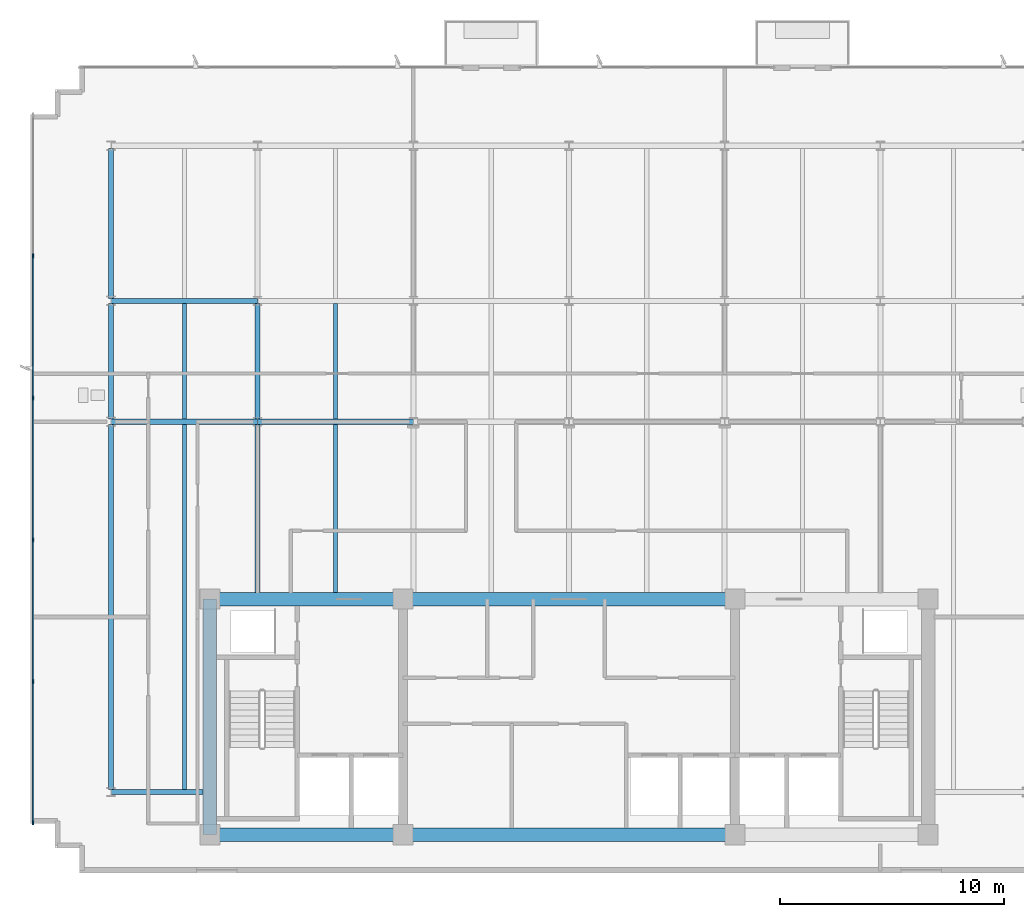
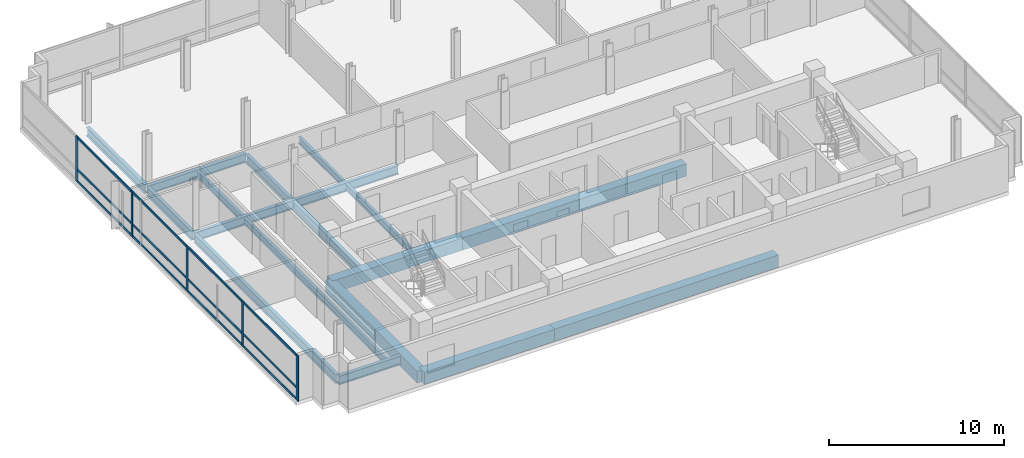
# One storey, part 2 of 13: 18 beams, 17 members, 1 element without a shape of its own.
"""IFC4 building model written with IfcOpenShell, lengths in metres."""

from ifc_helpers import new_model, si_unit, direction, frame, origin, origin_2d, place, context, subcontext, project, spatial, rectangle, i_section, extrude, material, material_profile, profile_set, type_object, element, aggregate, save


model = new_model("IFC4")

# Units and contexts
model_context = context("Model", 3, precision=1e-05, world=origin(), true_north=direction((0.0, 1.0)))
body_context = subcontext(model_context, "Body", "Model", "MODEL_VIEW")
ifc_project = project(units=[si_unit("LENGTHUNIT", "METRE"), si_unit("AREAUNIT", "SQUARE_METRE"), si_unit("VOLUMEUNIT", "CUBIC_METRE"), si_unit("PLANEANGLEUNIT", "RADIAN"), si_unit("MASSUNIT", "GRAM", prefix="KILO")], contexts=[model_context])

# Site, building, storey
site_placement = place(None, origin())
site = spatial("IfcSite", under=ifc_project, at=site_placement, CompositionType="ELEMENT")
building_placement = place(site_placement, origin())
building = spatial("IfcBuilding", under=site, at=building_placement, Name="Solmavex Isthmus Hotel", CompositionType="ELEMENT")
storey_placement = place(building_placement, frame((0.0, 0.0, 276.449951171875)))
storey = spatial("IfcBuildingStorey", under=building, at=storey_placement, Name="L75", CompositionType="ELEMENT", Elevation=276.449951171875)

# Beams
ifc_material_1 = material(Name="Steel ASTM A992 Grade 50", Category="steel")
ifc_material_profile_1 = material_profile(ifc_material_1, i_section(OverallWidth=0.1904296875, OverallDepth=0.456787109375, WebThickness=0.009033203125, FlangeThickness=0.014404296875, FilletRadius=0.0126953125, at=origin_2d()), Name="W18X50")
ifc_profile_set_1 = profile_set([ifc_material_profile_1], Name="Steel ASTM A992 Grade 50")
beam_type_1 = type_object("IfcBeamType", Name="BM-BJ-W18X50", PredefinedType="JOIST", material=ifc_profile_set_1)
beam_1_placement = place(storey_placement, frame((-17.135986328125, -10.98486328125, -0.48828125), z_axis=(0.0, 1.0, 0.0), x_axis=(-1.0, 0.0, 0.0)))
element("IfcBeam", 1, at=beam_1_placement, inside=storey, type_object=beam_type_1, Name="Secondary Floor Joist L75-J01", PredefinedType="JOIST", context=body_context, shape_type="SweptSolid", body=[
    extrude(i_section(OverallWidth=0.1904296875, OverallDepth=0.456787109375, WebThickness=0.009033203125, FlangeThickness=0.014404296875, FilletRadius=0.0126953125, at=origin_2d()), origin(), (0.0, 0.0, 1.0), 16.27099609375),
])
beam_2_placement = place(storey_placement, frame((-17.135986328125, 5.513916015625, -0.48828125), z_axis=(0.0, 1.0, 0.0), x_axis=(-1.0, 0.0, 0.0)))
element("IfcBeam", 2, at=beam_2_placement, inside=storey, type_object=beam_type_1, Name="Secondary Floor Joist L75-J02", PredefinedType="JOIST", context=body_context, shape_type="SweptSolid", body=[
    extrude(i_section(OverallWidth=0.1904296875, OverallDepth=0.456787109375, WebThickness=0.009033203125, FlangeThickness=0.014404296875, FilletRadius=0.0126953125, at=origin_2d()), origin(), (0.0, 0.0, 1.0), 5.16015625),
])
beam_3_placement = place(storey_placement, frame((-10.404052734375, -2.199951171875, -0.48828125), z_axis=(0.0, 1.0, 0.0), x_axis=(-1.0, 0.0, 0.0)))
element("IfcBeam", 3, at=beam_3_placement, inside=storey, type_object=beam_type_1, Name="Secondary Floor Joist L75-J04", PredefinedType="JOIST", context=body_context, shape_type="SweptSolid", body=[
    extrude(i_section(OverallWidth=0.1904296875, OverallDepth=0.456787109375, WebThickness=0.009033203125, FlangeThickness=0.014404296875, FilletRadius=0.0126953125, at=origin_2d()), origin(), (0.0, 0.0, 1.0), 7.486083984375),
])
beam_4_placement = place(storey_placement, frame((-10.404052734375, 5.513916015625, -0.48828125), z_axis=(0.0, 1.0, 0.0), x_axis=(-1.0, 0.0, 0.0)))
element("IfcBeam", 4, at=beam_4_placement, inside=storey, type_object=beam_type_1, Name="Secondary Floor Joist L75-J05", PredefinedType="JOIST", context=body_context, shape_type="SweptSolid", body=[
    extrude(i_section(OverallWidth=0.1904296875, OverallDepth=0.456787109375, WebThickness=0.009033203125, FlangeThickness=0.014404296875, FilletRadius=0.0126953125, at=origin_2d()), origin(), (0.0, 0.0, 1.0), 5.16015625),
])
ifc_material_profile_2 = material_profile(ifc_material_1, i_section(OverallWidth=0.227783203125, OverallDepth=0.602783203125, WebThickness=0.010498046875, FlangeThickness=0.014892578125, FilletRadius=0.01513671875, at=origin_2d()), Name="W24X68")
ifc_profile_set_2 = profile_set([ifc_material_profile_2], Name="Steel ASTM A992 Grade 50")
beam_type_2 = type_object("IfcBeamType", Name="BM-BM-W24X68", PredefinedType="BEAM", material=ifc_profile_set_2)
beam_5_placement = place(storey_placement, frame((-20.39990234375, 5.39990234375, -0.561279296875), z_axis=(1.0, 0.0, 0.0), x_axis=(0.0, 1.0, 0.0)))
element("IfcBeam", 5, at=beam_5_placement, inside=storey, type_object=beam_type_2, Name="Floor Girder L75-UG03", PredefinedType="BEAM", context=body_context, shape_type="SweptSolid", body=[
    extrude(i_section(OverallWidth=0.227783203125, OverallDepth=0.602783203125, WebThickness=0.010498046875, FlangeThickness=0.014892578125, FilletRadius=0.01513671875, at=origin_2d()), origin(), (0.0, 0.0, 1.0), 6.52783203125),
])
beam_6_placement = place(storey_placement, frame((-13.8720703125, 5.39990234375, -0.561279296875), z_axis=(1.0, 0.0, 0.0), x_axis=(0.0, 1.0, 0.0)))
element("IfcBeam", 6, at=beam_6_placement, inside=storey, type_object=beam_type_2, Name="Floor Girder L75-UG04", PredefinedType="BEAM", context=body_context, shape_type="SweptSolid", body=[
    extrude(i_section(OverallWidth=0.227783203125, OverallDepth=0.602783203125, WebThickness=0.010498046875, FlangeThickness=0.014892578125, FilletRadius=0.01513671875, at=origin_2d()), origin(), (0.0, 0.0, 1.0), 6.93603515625),
])
beam_7_placement = place(storey_placement, frame((-20.39990234375, 10.7880859375, -0.561279296875), z_axis=(1.0, 0.0, 0.0), x_axis=(0.0, 1.0, 0.0)))
element("IfcBeam", 7, at=beam_7_placement, inside=storey, type_object=beam_type_2, Name="Floor Girder L75-UG09", PredefinedType="BEAM", context=body_context, shape_type="SweptSolid", body=[
    extrude(i_section(OverallWidth=0.227783203125, OverallDepth=0.602783203125, WebThickness=0.010498046875, FlangeThickness=0.014892578125, FilletRadius=0.01513671875, at=origin_2d()), origin(), (0.0, 0.0, 1.0), 6.52783203125),
])
beam_8_placement = place(storey_placement, frame((-13.8720703125, -2.199951171875, -0.561279296875), z_axis=(0.0, 1.0, 0.0), x_axis=(-1.0, 0.0, 0.0)))
element("IfcBeam", 8, at=beam_8_placement, inside=storey, type_object=beam_type_2, Name="Floor Beam L75-VG24", PredefinedType="BEAM", context=body_context, shape_type="SweptSolid", body=[
    extrude(i_section(OverallWidth=0.227783203125, OverallDepth=0.602783203125, WebThickness=0.010498046875, FlangeThickness=0.014892578125, FilletRadius=0.01513671875, at=origin_2d()), origin(), (0.0, 0.0, 1.0), 7.486083984375),
])
beam_9_placement = place(storey_placement, frame((-13.8720703125, 5.513916015625, -0.561279296875), z_axis=(0.0, 1.0, 0.0), x_axis=(-1.0, 0.0, 0.0)))
element("IfcBeam", 9, at=beam_9_placement, inside=storey, type_object=beam_type_2, Name="Floor Beam L75-VG25", PredefinedType="BEAM", context=body_context, shape_type="SweptSolid", body=[
    extrude(i_section(OverallWidth=0.227783203125, OverallDepth=0.602783203125, WebThickness=0.010498046875, FlangeThickness=0.014892578125, FilletRadius=0.01513671875, at=origin_2d()), origin(), (0.0, 0.0, 1.0), 5.16015625),
])
ifc_material_2 = material(Name="Concrete C50/60", Category="concrete")
ifc_material_profile_3 = material_profile(ifc_material_2, rectangle(XDim=0.60009765625, YDim=0.85009765625, at=origin_2d()), Name="RC600X850")
ifc_profile_set_3 = profile_set([ifc_material_profile_3], Name="Concrete C50/60")
beam_type_3 = type_object("IfcBeamType", Name="BM-CB-600X850", PredefinedType="BEAM", material=ifc_profile_set_3)
beam_10_placement = place(storey_placement, frame((-16.0, -13.0, -0.68505859375), z_axis=(1.0, 0.0, 0.0), x_axis=(0.0, 1.0, 0.0)))
element("IfcBeam", 10, at=beam_10_placement, inside=storey, type_object=beam_type_3, Name="Core Coupling Beam L75-CB1", PredefinedType="BEAM", context=body_context, shape_type="SweptSolid", body=[
    extrude(rectangle(XDim=0.60009765625, YDim=0.85009765625, at=origin_2d()), origin(), (0.0, 0.0, 1.0), 8.60009765625),
])
beam_11_placement = place(storey_placement, frame((-7.39990234375, -13.0, -0.68505859375), z_axis=(1.0, 0.0, 0.0), x_axis=(0.0, 1.0, 0.0)))
element("IfcBeam", 11, at=beam_11_placement, inside=storey, type_object=beam_type_3, Name="Core Coupling Beam L75-CB2", PredefinedType="BEAM", context=body_context, shape_type="SweptSolid", body=[
    extrude(rectangle(XDim=0.60009765625, YDim=0.85009765625, at=origin_2d()), origin(), (0.0, 0.0, 1.0), 14.7998046875),
])
beam_12_placement = place(storey_placement, frame((-16.0, -2.5, -0.68505859375), z_axis=(1.0, 0.0, 0.0), x_axis=(0.0, 1.0, 0.0)))
element("IfcBeam", 12, at=beam_12_placement, inside=storey, type_object=beam_type_3, Name="Core Coupling Beam L75-CB4", PredefinedType="BEAM", context=body_context, shape_type="SweptSolid", body=[
    extrude(rectangle(XDim=0.60009765625, YDim=0.85009765625, at=origin_2d()), origin(), (0.0, 0.0, 1.0), 8.60009765625),
])
beam_13_placement = place(storey_placement, frame((-7.39990234375, -2.5, -0.68505859375), z_axis=(1.0, 0.0, 0.0), x_axis=(0.0, 1.0, 0.0)))
element("IfcBeam", 13, at=beam_13_placement, inside=storey, type_object=beam_type_3, Name="Core Coupling Beam L75-CB5", PredefinedType="BEAM", context=body_context, shape_type="SweptSolid", body=[
    extrude(rectangle(XDim=0.60009765625, YDim=0.85009765625, at=origin_2d()), origin(), (0.0, 0.0, 1.0), 14.7998046875),
])
beam_14_placement = place(storey_placement, frame((-16.0, -13.0, -0.68505859375), z_axis=(0.0, 1.0, 0.0), x_axis=(-1.0, 0.0, 0.0)))
element("IfcBeam", 14, at=beam_14_placement, inside=storey, type_object=beam_type_3, Name="Core Coupling Beam L75-CB7", PredefinedType="BEAM", context=body_context, shape_type="SweptSolid", body=[
    extrude(rectangle(XDim=0.60009765625, YDim=0.85009765625, at=origin_2d()), origin(), (0.0, 0.0, 1.0), 10.5),
])
ifc_material_profile_4 = material_profile(ifc_material_1, i_section(OverallWidth=0.230224609375, OverallDepth=0.617431640625, WebThickness=0.01318359375, FlangeThickness=0.022216796875, FilletRadius=0.01513671875, at=origin_2d()), Name="W24X94")
ifc_profile_set_4 = profile_set([ifc_material_profile_4], Name="Steel ASTM A992 Grade 50")
beam_type_4 = type_object("IfcBeamType", Name="BM-SP-W24X94", PredefinedType="SPANDREL", material=ifc_profile_set_4)
beam_15_placement = place(storey_placement, frame((-20.39990234375, -11.10009765625, -0.568603515625), z_axis=(1.0, 0.0, 0.0), x_axis=(0.0, 1.0, 0.0)))
element("IfcBeam", 15, at=beam_15_placement, inside=storey, type_object=beam_type_4, Name="Floor Girder L75-UG01", PredefinedType="SPANDREL", context=body_context, shape_type="SweptSolid", body=[
    extrude(i_section(OverallWidth=0.230224609375, OverallDepth=0.617431640625, WebThickness=0.01318359375, FlangeThickness=0.022216796875, FilletRadius=0.01513671875, at=origin_2d()), origin(), (0.0, 0.0, 1.0), 4.099853515625),
])
beam_16_placement = place(storey_placement, frame((-20.39990234375, -10.98486328125, -0.568603515625), z_axis=(0.0, 1.0, 0.0), x_axis=(-1.0, 0.0, 0.0)))
element("IfcBeam", 16, at=beam_16_placement, inside=storey, type_object=beam_type_4, Name="Floor Beam L75-VG21", PredefinedType="SPANDREL", context=body_context, shape_type="SweptSolid", body=[
    extrude(i_section(OverallWidth=0.230224609375, OverallDepth=0.617431640625, WebThickness=0.01318359375, FlangeThickness=0.022216796875, FilletRadius=0.01513671875, at=origin_2d()), origin(), (0.0, 0.0, 1.0), 16.27099609375),
])
beam_17_placement = place(storey_placement, frame((-20.39990234375, 5.513916015625, -0.568603515625), z_axis=(0.0, 1.0, 0.0), x_axis=(-1.0, 0.0, 0.0)))
element("IfcBeam", 17, at=beam_17_placement, inside=storey, type_object=beam_type_4, Name="Floor Beam L75-VG22", PredefinedType="SPANDREL", context=body_context, shape_type="SweptSolid", body=[
    extrude(i_section(OverallWidth=0.230224609375, OverallDepth=0.617431640625, WebThickness=0.01318359375, FlangeThickness=0.022216796875, FilletRadius=0.01513671875, at=origin_2d()), origin(), (0.0, 0.0, 1.0), 5.16015625),
])
beam_18_placement = place(storey_placement, frame((-20.39990234375, 10.90185546875, -0.568603515625), z_axis=(0.0, 1.0, 0.0), x_axis=(-1.0, 0.0, 0.0)))
element("IfcBeam", 18, at=beam_18_placement, inside=storey, type_object=beam_type_4, Name="Floor Beam L75-VG23", PredefinedType="SPANDREL", context=body_context, shape_type="SweptSolid", body=[
    extrude(i_section(OverallWidth=0.230224609375, OverallDepth=0.617431640625, WebThickness=0.01318359375, FlangeThickness=0.022216796875, FilletRadius=0.01513671875, at=origin_2d()), origin(), (0.0, 0.0, 1.0), 6.682861328125),
])

# Curtain wall, members
ifc_material_3 = material(Name="Aluminium alloy 6063-T6", Category="aluminium")
curtain_wall_type = type_object("IfcCurtainWallType", Name="CW-SYS-04", PredefinedType="NOTDEFINED", material=ifc_material_3)
curtain_wall_placement = place(storey_placement, origin())
curtain_wall = element("IfcCurtainWall", 19, at=curtain_wall_placement, inside=storey, type_object=curtain_wall_type, Name="Stick Curtain Wall CWL-L75-W1", PredefinedType="NOTDEFINED")
ifc_material_profile_5 = material_profile(ifc_material_3, rectangle(XDim=0.074951171875, YDim=0.199951171875, at=origin_2d()), Name="CWM-75X200")
ifc_profile_set_5 = profile_set([ifc_material_profile_5], Name="Aluminium alloy 6063-T6")
member_type_1 = type_object("IfcMemberType", Name="CW-SYS-04-MUL", PredefinedType="MULLION", material=ifc_profile_set_5)
member_1_placement = place(storey_placement, frame((-23.8798828125, -12.46240234375, 0.0), z_axis=(0.0, 0.0, 1.0), x_axis=(-1.0, 0.0, 0.0)))
member_1 = element("IfcMember", 20, at=member_1_placement, type_object=member_type_1, Name="CW-04 mullion 1", PredefinedType="MULLION", context=body_context, shape_type="SweptSolid", body=[
    extrude(rectangle(XDim=0.074951171875, YDim=0.199951171875, at=origin_2d()), origin(), (0.0, 0.0, 1.0), 3.18994140625),
])
member_2_placement = place(storey_placement, frame((-23.8798828125, -6.179931640625, 0.0), z_axis=(0.0, 0.0, 1.0), x_axis=(-1.0, 0.0, 0.0)))
member_2 = element("IfcMember", 21, at=member_2_placement, type_object=member_type_1, Name="CW-04 mullion 2", PredefinedType="MULLION", context=body_context, shape_type="SweptSolid", body=[
    extrude(rectangle(XDim=0.074951171875, YDim=0.199951171875, at=origin_2d()), origin(), (0.0, 0.0, 1.0), 3.18994140625),
])
member_3_placement = place(storey_placement, frame((-23.8798828125, 0.139892578125, 0.0), z_axis=(0.0, 0.0, 1.0), x_axis=(-1.0, 0.0, 0.0)))
member_3 = element("IfcMember", 22, at=member_3_placement, type_object=member_type_1, Name="CW-04 mullion 3", PredefinedType="MULLION", context=body_context, shape_type="SweptSolid", body=[
    extrude(rectangle(XDim=0.074951171875, YDim=0.199951171875, at=origin_2d()), origin(), (0.0, 0.0, 1.0), 3.18994140625),
])
member_4_placement = place(storey_placement, frame((-23.8798828125, 6.4599609375, 0.0), z_axis=(0.0, 0.0, 1.0), x_axis=(-1.0, 0.0, 0.0)))
member_4 = element("IfcMember", 23, at=member_4_placement, type_object=member_type_1, Name="CW-04 mullion 4", PredefinedType="MULLION", context=body_context, shape_type="SweptSolid", body=[
    extrude(rectangle(XDim=0.074951171875, YDim=0.199951171875, at=origin_2d()), origin(), (0.0, 0.0, 1.0), 3.18994140625),
])
member_5_placement = place(storey_placement, frame((-23.8798828125, 12.780029296875, 0.0), z_axis=(0.0, 0.0, 1.0), x_axis=(-1.0, 0.0, 0.0)))
member_5 = element("IfcMember", 24, at=member_5_placement, type_object=member_type_1, Name="CW-04 mullion 5", PredefinedType="MULLION", context=body_context, shape_type="SweptSolid", body=[
    extrude(rectangle(XDim=0.074951171875, YDim=0.199951171875, at=origin_2d()), origin(), (0.0, 0.0, 1.0), 3.18994140625),
])
ifc_material_profile_6 = material_profile(ifc_material_3, rectangle(XDim=0.074951171875, YDim=0.14990234375, at=origin_2d()), Name="CWT-75X150")
ifc_profile_set_6 = profile_set([ifc_material_profile_6], Name="Aluminium alloy 6063-T6")
member_type_2 = type_object("IfcMemberType", Name="CW-SYS-04-TRN", PredefinedType="USERDEFINED", material=ifc_profile_set_6)
member_6_placement = place(storey_placement, frame((-23.8798828125, -12.425048828125, 0.074951171875), z_axis=(0.0, 1.0, 0.0), x_axis=(-1.0, 0.0, 0.0)))
member_6 = element("IfcMember", 25, at=member_6_placement, type_object=member_type_2, Name="CW-04 transom 1.1", ObjectType="TRANSOM", PredefinedType="USERDEFINED", context=body_context, shape_type="SweptSolid", body=[
    extrude(rectangle(XDim=0.074951171875, YDim=0.14990234375, at=origin_2d()), origin(), (0.0, 0.0, 1.0), 6.20751953125),
])
member_7_placement = place(storey_placement, frame((-23.8798828125, -12.425048828125, 0.900146484375), z_axis=(0.0, 1.0, 0.0), x_axis=(-1.0, 0.0, 0.0)))
member_7 = element("IfcMember", 26, at=member_7_placement, type_object=member_type_2, Name="CW-04 transom 1.2", ObjectType="TRANSOM", PredefinedType="USERDEFINED", context=body_context, shape_type="SweptSolid", body=[
    extrude(rectangle(XDim=0.074951171875, YDim=0.14990234375, at=origin_2d()), origin(), (0.0, 0.0, 1.0), 6.20751953125),
])
member_8_placement = place(storey_placement, frame((-23.8798828125, -12.425048828125, 3.114990234375), z_axis=(0.0, 1.0, 0.0), x_axis=(-1.0, 0.0, 0.0)))
member_8 = element("IfcMember", 27, at=member_8_placement, type_object=member_type_2, Name="CW-04 transom 1.3", ObjectType="TRANSOM", PredefinedType="USERDEFINED", context=body_context, shape_type="SweptSolid", body=[
    extrude(rectangle(XDim=0.074951171875, YDim=0.14990234375, at=origin_2d()), origin(), (0.0, 0.0, 1.0), 6.20751953125),
])
member_9_placement = place(storey_placement, frame((-23.8798828125, -6.142578125, 0.074951171875), z_axis=(0.0, 1.0, 0.0), x_axis=(-1.0, 0.0, 0.0)))
member_9 = element("IfcMember", 28, at=member_9_placement, type_object=member_type_2, Name="CW-04 transom 2.1", ObjectType="TRANSOM", PredefinedType="USERDEFINED", context=body_context, shape_type="SweptSolid", body=[
    extrude(rectangle(XDim=0.074951171875, YDim=0.14990234375, at=origin_2d()), origin(), (0.0, 0.0, 1.0), 6.2451171875),
])
member_10_placement = place(storey_placement, frame((-23.8798828125, -6.142578125, 0.900146484375), z_axis=(0.0, 1.0, 0.0), x_axis=(-1.0, 0.0, 0.0)))
member_10 = element("IfcMember", 29, at=member_10_placement, type_object=member_type_2, Name="CW-04 transom 2.2", ObjectType="TRANSOM", PredefinedType="USERDEFINED", context=body_context, shape_type="SweptSolid", body=[
    extrude(rectangle(XDim=0.074951171875, YDim=0.14990234375, at=origin_2d()), origin(), (0.0, 0.0, 1.0), 6.2451171875),
])
member_11_placement = place(storey_placement, frame((-23.8798828125, -6.142578125, 3.114990234375), z_axis=(0.0, 1.0, 0.0), x_axis=(-1.0, 0.0, 0.0)))
member_11 = element("IfcMember", 30, at=member_11_placement, type_object=member_type_2, Name="CW-04 transom 2.3", ObjectType="TRANSOM", PredefinedType="USERDEFINED", context=body_context, shape_type="SweptSolid", body=[
    extrude(rectangle(XDim=0.074951171875, YDim=0.14990234375, at=origin_2d()), origin(), (0.0, 0.0, 1.0), 6.2451171875),
])
member_12_placement = place(storey_placement, frame((-23.8798828125, 0.177490234375, 0.074951171875), z_axis=(0.0, 1.0, 0.0), x_axis=(-1.0, 0.0, 0.0)))
member_12 = element("IfcMember", 31, at=member_12_placement, type_object=member_type_2, Name="CW-04 transom 3.1", ObjectType="TRANSOM", PredefinedType="USERDEFINED", context=body_context, shape_type="SweptSolid", body=[
    extrude(rectangle(XDim=0.074951171875, YDim=0.14990234375, at=origin_2d()), origin(), (0.0, 0.0, 1.0), 6.2451171875),
])
member_13_placement = place(storey_placement, frame((-23.8798828125, 0.177490234375, 0.900146484375), z_axis=(0.0, 1.0, 0.0), x_axis=(-1.0, 0.0, 0.0)))
member_13 = element("IfcMember", 32, at=member_13_placement, type_object=member_type_2, Name="CW-04 transom 3.2", ObjectType="TRANSOM", PredefinedType="USERDEFINED", context=body_context, shape_type="SweptSolid", body=[
    extrude(rectangle(XDim=0.074951171875, YDim=0.14990234375, at=origin_2d()), origin(), (0.0, 0.0, 1.0), 6.2451171875),
])
member_14_placement = place(storey_placement, frame((-23.8798828125, 0.177490234375, 3.114990234375), z_axis=(0.0, 1.0, 0.0), x_axis=(-1.0, 0.0, 0.0)))
member_14 = element("IfcMember", 33, at=member_14_placement, type_object=member_type_2, Name="CW-04 transom 3.3", ObjectType="TRANSOM", PredefinedType="USERDEFINED", context=body_context, shape_type="SweptSolid", body=[
    extrude(rectangle(XDim=0.074951171875, YDim=0.14990234375, at=origin_2d()), origin(), (0.0, 0.0, 1.0), 6.2451171875),
])
member_15_placement = place(storey_placement, frame((-23.8798828125, 6.49755859375, 0.074951171875), z_axis=(0.0, 1.0, 0.0), x_axis=(-1.0, 0.0, 0.0)))
member_15 = element("IfcMember", 34, at=member_15_placement, type_object=member_type_2, Name="CW-04 transom 4.1", ObjectType="TRANSOM", PredefinedType="USERDEFINED", context=body_context, shape_type="SweptSolid", body=[
    extrude(rectangle(XDim=0.074951171875, YDim=0.14990234375, at=origin_2d()), origin(), (0.0, 0.0, 1.0), 6.244873046875),
])
member_16_placement = place(storey_placement, frame((-23.8798828125, 6.49755859375, 0.900146484375), z_axis=(0.0, 1.0, 0.0), x_axis=(-1.0, 0.0, 0.0)))
member_16 = element("IfcMember", 35, at=member_16_placement, type_object=member_type_2, Name="CW-04 transom 4.2", ObjectType="TRANSOM", PredefinedType="USERDEFINED", context=body_context, shape_type="SweptSolid", body=[
    extrude(rectangle(XDim=0.074951171875, YDim=0.14990234375, at=origin_2d()), origin(), (0.0, 0.0, 1.0), 6.244873046875),
])
member_17_placement = place(storey_placement, frame((-23.8798828125, 6.49755859375, 3.114990234375), z_axis=(0.0, 1.0, 0.0), x_axis=(-1.0, 0.0, 0.0)))
member_17 = element("IfcMember", 36, at=member_17_placement, type_object=member_type_2, Name="CW-04 transom 4.3", ObjectType="TRANSOM", PredefinedType="USERDEFINED", context=body_context, shape_type="SweptSolid", body=[
    extrude(rectangle(XDim=0.074951171875, YDim=0.14990234375, at=origin_2d()), origin(), (0.0, 0.0, 1.0), 6.244873046875),
])
aggregate(curtain_wall, [member_1, member_2, member_3, member_4, member_5, member_6, member_7, member_8, member_9, member_10, member_11, member_12, member_13, member_14, member_15, member_16, member_17])

save(model, "model.ifc")
